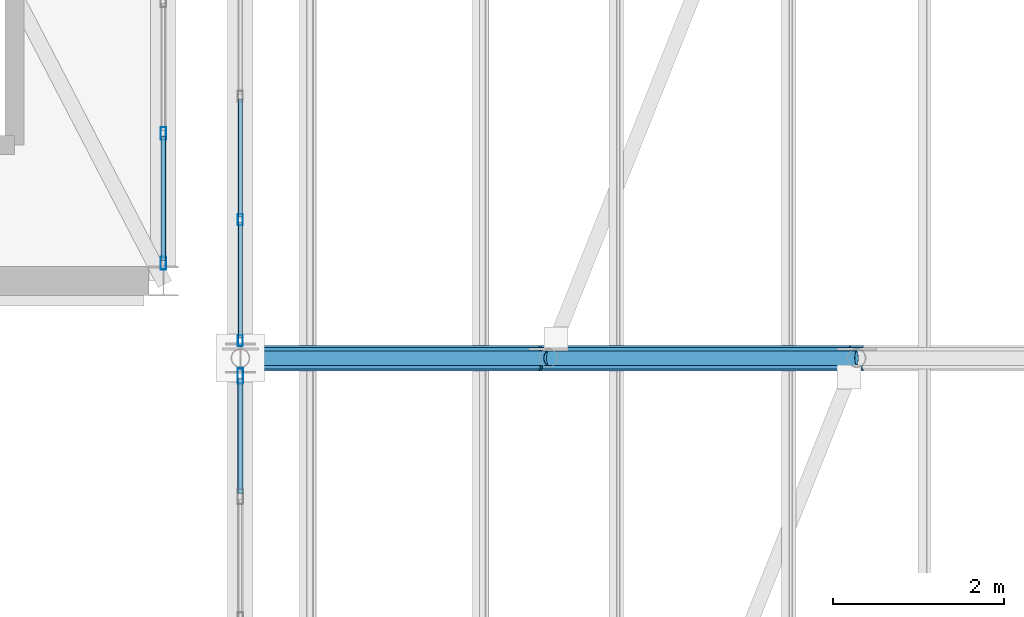
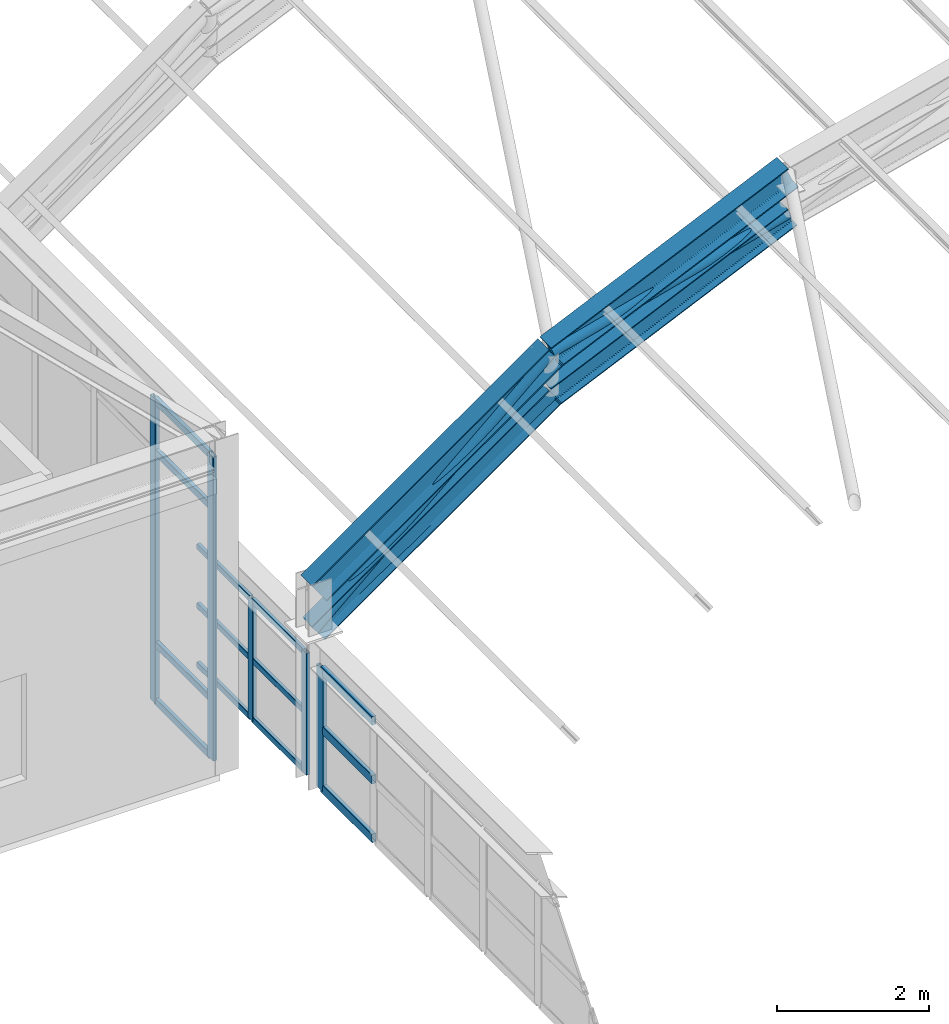
# One storey, part 49 of 121: 22 members, 2 beams, 3 elements without a shape of their own.
"""IFC4 building model written with IfcOpenShell, lengths in metres."""

from ifc_helpers import new_model, si_unit, direction, frame, origin, origin_2d, place, context, subcontext, project, spatial, hollow_rectangle, hollow_circle, i_section, extrude, material, material_profile, profile_set, type_object, element, aggregate, save


model = new_model("IFC4")

# Units and contexts
model_context = context("Model", 3, precision=1e-05, world=origin(), true_north=direction((0.0, 1.0)))
body_context = subcontext(model_context, "Body", "Model", "MODEL_VIEW")
ifc_project = project(units=[si_unit("LENGTHUNIT", "METRE"), si_unit("AREAUNIT", "SQUARE_METRE"), si_unit("VOLUMEUNIT", "CUBIC_METRE"), si_unit("PLANEANGLEUNIT", "RADIAN"), si_unit("MASSUNIT", "GRAM", prefix="KILO")], contexts=[model_context])

# Site, building, storey
site_placement = place(None, origin())
site = spatial("IfcSite", under=ifc_project, at=site_placement, CompositionType="ELEMENT")
building_placement = place(site_placement, origin())
building = spatial("IfcBuilding", under=site, at=building_placement, Name="Canglan Escarpment Cableway Terminal", CompositionType="ELEMENT")
storey_placement = place(building_placement, frame((0.0, 0.0, 24.60009765625)))
storey = spatial("IfcBuildingStorey", under=building, at=storey_placement, Name="L05", CompositionType="ELEMENT", Elevation=24.60009765625)

# Beams
ifc_material_1 = material(Name="Steel Q355B", Category="steel")
ifc_material_profile_1 = material_profile(ifc_material_1, i_section(OverallWidth=0.300048828125, OverallDepth=0.389892578125, WebThickness=0.010009765625, FlangeThickness=0.01611328125, FilletRadius=0.02197265625, at=origin_2d()), Name="HM 390x300x10x16")
ifc_profile_set_1 = profile_set([ifc_material_profile_1], Name="Steel Q355B")
beam_type = type_object("IfcBeamType", Name="BM-ARCH-TOP-HM390", PredefinedType="BEAM", material=ifc_profile_set_1)
beam_1_placement = place(storey_placement, frame((137.60009765625, 88.0, 3.08251953125), z_axis=(0.817731009495, 0.0, 0.575600552563), x_axis=(0.0, 1.0, 0.0)))
element("IfcBeam", 1, at=beam_1_placement, inside=storey, type_object=beam_type, Name="Vault ROOF TRUSS arch top chord AR-TC1", PredefinedType="BEAM", context=body_context, shape_type="SweptSolid", body=[
    extrude(i_section(OverallWidth=0.300048828125, OverallDepth=0.389892578125, WebThickness=0.010009765625, FlangeThickness=0.01611328125, FilletRadius=0.02197265625, at=origin_2d()), origin(), (0.0, 0.0, 1.0), 4.40234375),
])
beam_2_placement = place(storey_placement, frame((141.199951171875, 88.0, 5.616455078125), z_axis=(0.911752518833, 0.0, 0.410739996108), x_axis=(0.0, 1.0, 0.0)))
element("IfcBeam", 2, at=beam_2_placement, inside=storey, type_object=beam_type, Name="Vault ROOF TRUSS arch top chord AR-TC1", PredefinedType="BEAM", context=body_context, shape_type="SweptSolid", body=[
    extrude(i_section(OverallWidth=0.300048828125, OverallDepth=0.389892578125, WebThickness=0.010009765625, FlangeThickness=0.01611328125, FilletRadius=0.02197265625, at=origin_2d()), origin(), (0.0, 0.0, 1.0), 3.948486328125),
])

# Curtain wall, members
ifc_material_2 = material(Name="Anodized bronze aluminium and Low-E double glazing", Category="aluminium")
curtain_wall_type_1 = type_object("IfcCurtainWallType", Name="CW-BAY-8650x1950", PredefinedType="NOTDEFINED", material=ifc_material_2)
curtain_wall_1_placement = place(storey_placement, origin())
curtain_wall_1 = element("IfcCurtainWall", 3, at=curtain_wall_1_placement, inside=storey, type_object=curtain_wall_type_1, Name="Classical bay-between-piers glazed curtain wall CW-66", PredefinedType="NOTDEFINED")
ifc_material_3 = material(Name="Thermally broken anodized aluminium 6063-T6", Category="aluminium")
ifc_material_profile_2 = material_profile(ifc_material_3, hollow_rectangle(XDim=0.06005859375, YDim=0.1298828125, WallThickness=0.0029296875, InnerFilletRadius=0.0029296875, OuterFilletRadius=0.006103515625, at=origin_2d()), Name="ALU-MULL 60x130x3")
ifc_profile_set_2 = profile_set([ifc_material_profile_2], Name="Thermally broken anodized aluminium 6063-T6")
member_type_1 = type_object("IfcMemberType", Name="CWM-01", PredefinedType="MULLION", material=ifc_profile_set_2)
member_1_placement = place(storey_placement, frame((137.60009765625, 89.61669921875, 0.0), z_axis=(0.0, 0.0, 1.0), x_axis=(1.0, 0.0, 0.0)))
member_1 = element("IfcMember", 4, at=member_1_placement, type_object=member_type_1, Name="CW-66 mullion 6", PredefinedType="MULLION", context=body_context, shape_type="SweptSolid", body=[
    extrude(hollow_rectangle(XDim=0.06005859375, YDim=0.1298828125, WallThickness=0.0029296875, InnerFilletRadius=0.0029296875, OuterFilletRadius=0.006103515625, at=origin_2d()), origin(), (0.0, 0.0, 1.0), 1.949951171875),
])
member_2_placement = place(storey_placement, frame((137.60009765625, 88.205078125, 0.0), z_axis=(0.0, 0.0, 1.0), x_axis=(1.0, 0.0, 0.0)))
member_2 = element("IfcMember", 5, at=member_2_placement, type_object=member_type_1, Name="CW-66 mullion 7", PredefinedType="MULLION", context=body_context, shape_type="SweptSolid", body=[
    extrude(hollow_rectangle(XDim=0.06005859375, YDim=0.1298828125, WallThickness=0.0029296875, InnerFilletRadius=0.0029296875, OuterFilletRadius=0.006103515625, at=origin_2d()), origin(), (0.0, 0.0, 1.0), 1.949951171875),
])

curtain_wall_type_2 = type_object("IfcCurtainWallType", Name="CW-BAY-7750x4875", PredefinedType="NOTDEFINED", material=ifc_material_2)
curtain_wall_2_placement = place(storey_placement, origin())
curtain_wall_2 = element("IfcCurtainWall", 6, at=curtain_wall_2_placement, inside=storey, type_object=curtain_wall_type_2, Name="Classical bay-between-piers glazed curtain wall CW-57", PredefinedType="NOTDEFINED")
ifc_material_profile_3 = material_profile(ifc_material_3, hollow_rectangle(XDim=0.06494140625, YDim=0.14990234375, WallThickness=0.00341796875, InnerFilletRadius=0.00341796875, OuterFilletRadius=0.007080078125, at=origin_2d()), Name="ALU-MULL 65x150x3.5")
ifc_profile_set_3 = profile_set([ifc_material_profile_3], Name="Thermally broken anodized aluminium 6063-T6")
member_type_2 = type_object("IfcMemberType", Name="CWM-02", PredefinedType="MULLION", material=ifc_profile_set_3)
member_3_placement = place(storey_placement, frame((136.699951171875, 89.107421875, 0.0), z_axis=(0.0, 0.0, 1.0), x_axis=(-1.0, 0.0, 0.0)))
member_3 = element("IfcMember", 7, at=member_3_placement, type_object=member_type_2, Name="CW-57 mullion 1", PredefinedType="MULLION", context=body_context, shape_type="SweptSolid", body=[
    extrude(hollow_rectangle(XDim=0.06494140625, YDim=0.14990234375, WallThickness=0.00341796875, InnerFilletRadius=0.00341796875, OuterFilletRadius=0.007080078125, at=origin_2d()), origin(), (0.0, 0.0, 1.0), 4.880859375),
])
member_4_placement = place(storey_placement, frame((136.699951171875, 90.625, 0.0), z_axis=(0.0, 0.0, 1.0), x_axis=(-1.0, 0.0, 0.0)))
member_4 = element("IfcMember", 8, at=member_4_placement, type_object=member_type_2, Name="CW-57 mullion 2", PredefinedType="MULLION", context=body_context, shape_type="SweptSolid", body=[
    extrude(hollow_rectangle(XDim=0.06494140625, YDim=0.14990234375, WallThickness=0.00341796875, InnerFilletRadius=0.00341796875, OuterFilletRadius=0.007080078125, at=origin_2d()), origin(), (0.0, 0.0, 1.0), 4.880859375),
])

# Curtain wall, member
curtain_wall_3_placement = place(storey_placement, origin())
curtain_wall_3 = element("IfcCurtainWall", 9, at=curtain_wall_3_placement, inside=storey, type_object=curtain_wall_type_1, Name="Classical bay-between-piers glazed curtain wall CW-66", PredefinedType="NOTDEFINED")
ifc_material_profile_4 = material_profile(ifc_material_3, hollow_rectangle(XDim=0.06494140625, YDim=0.179931640625, WallThickness=0.00390625, InnerFilletRadius=0.00390625, OuterFilletRadius=0.008056640625, at=origin_2d()), Name="ALU-MULL 65x180x4")
ifc_profile_set_4 = profile_set([ifc_material_profile_4], Name="Thermally broken anodized aluminium 6063-T6")
member_type_3 = type_object("IfcMemberType", Name="CWM-03", PredefinedType="MULLION", material=ifc_profile_set_4)
member_5_placement = place(storey_placement, frame((137.60009765625, 87.79248046875, 0.0), z_axis=(0.0, 0.0, 1.0), x_axis=(1.0, 0.0, 0.0)))
member_5 = element("IfcMember", 10, at=member_5_placement, type_object=member_type_3, Name="CW-66 mullion 1", PredefinedType="MULLION", context=body_context, shape_type="SweptSolid", body=[
    extrude(hollow_rectangle(XDim=0.06494140625, YDim=0.179931640625, WallThickness=0.00390625, InnerFilletRadius=0.00390625, OuterFilletRadius=0.008056640625, at=origin_2d()), origin(), (0.0, 0.0, 1.0), 1.949951171875),
])

# Member
ifc_material_profile_5 = material_profile(ifc_material_3, hollow_rectangle(XDim=0.054931640625, YDim=0.094970703125, WallThickness=0.0029296875, InnerFilletRadius=0.0029296875, OuterFilletRadius=0.006103515625, at=origin_2d()), Name="ALU-TRAN 55x95x3")
ifc_profile_set_5 = profile_set([ifc_material_profile_5], Name="Thermally broken anodized aluminium 6063-T6")
member_type_4 = type_object("IfcMemberType", Name="CWT-01", PredefinedType="USERDEFINED", material=ifc_profile_set_5)
member_6_placement = place(storey_placement, frame((137.60009765625, 91.0283203125, 0.02734375), z_axis=(0.0, -1.0, 0.0), x_axis=(1.0, 0.0, 0.0)))
member_6 = element("IfcMember", 11, at=member_6_placement, type_object=member_type_4, Name="CW-66 transom 5.1", ObjectType="TRANSOM", PredefinedType="USERDEFINED", context=body_context, shape_type="SweptSolid", body=[
    extrude(hollow_rectangle(XDim=0.054931640625, YDim=0.094970703125, WallThickness=0.0029296875, InnerFilletRadius=0.0029296875, OuterFilletRadius=0.006103515625, at=origin_2d()), origin(), (0.0, 0.0, 1.0), 1.381591796875),
])

member_7_placement = place(storey_placement, frame((137.60009765625, 91.0283203125, 0.974853515625), z_axis=(0.0, -1.0, 0.0), x_axis=(1.0, 0.0, 0.0)))
member_7 = element("IfcMember", 12, at=member_7_placement, type_object=member_type_4, Name="CW-66 transom 5.2", ObjectType="TRANSOM", PredefinedType="USERDEFINED", context=body_context, shape_type="SweptSolid", body=[
    extrude(hollow_rectangle(XDim=0.054931640625, YDim=0.094970703125, WallThickness=0.0029296875, InnerFilletRadius=0.0029296875, OuterFilletRadius=0.006103515625, at=origin_2d()), origin(), (0.0, 0.0, 1.0), 1.381591796875),
])

member_8_placement = place(storey_placement, frame((137.60009765625, 91.0283203125, 1.92236328125), z_axis=(0.0, -1.0, 0.0), x_axis=(1.0, 0.0, 0.0)))
member_8 = element("IfcMember", 13, at=member_8_placement, type_object=member_type_4, Name="CW-66 transom 5.3", ObjectType="TRANSOM", PredefinedType="USERDEFINED", context=body_context, shape_type="SweptSolid", body=[
    extrude(hollow_rectangle(XDim=0.054931640625, YDim=0.094970703125, WallThickness=0.0029296875, InnerFilletRadius=0.0029296875, OuterFilletRadius=0.006103515625, at=origin_2d()), origin(), (0.0, 0.0, 1.0), 1.381591796875),
])

member_9_placement = place(storey_placement, frame((137.60009765625, 89.586669921875, 0.02734375), z_axis=(0.0, -1.0, 0.0), x_axis=(1.0, 0.0, 0.0)))
member_9 = element("IfcMember", 14, at=member_9_placement, type_object=member_type_4, Name="CW-66 transom 6.1", ObjectType="TRANSOM", PredefinedType="USERDEFINED", context=body_context, shape_type="SweptSolid", body=[
    extrude(hollow_rectangle(XDim=0.054931640625, YDim=0.094970703125, WallThickness=0.0029296875, InnerFilletRadius=0.0029296875, OuterFilletRadius=0.006103515625, at=origin_2d()), origin(), (0.0, 0.0, 1.0), 1.3515625),
])

member_10_placement = place(storey_placement, frame((137.60009765625, 89.586669921875, 0.974853515625), z_axis=(0.0, -1.0, 0.0), x_axis=(1.0, 0.0, 0.0)))
member_10 = element("IfcMember", 15, at=member_10_placement, type_object=member_type_4, Name="CW-66 transom 6.2", ObjectType="TRANSOM", PredefinedType="USERDEFINED", context=body_context, shape_type="SweptSolid", body=[
    extrude(hollow_rectangle(XDim=0.054931640625, YDim=0.094970703125, WallThickness=0.0029296875, InnerFilletRadius=0.0029296875, OuterFilletRadius=0.006103515625, at=origin_2d()), origin(), (0.0, 0.0, 1.0), 1.3515625),
])

member_11_placement = place(storey_placement, frame((137.60009765625, 89.586669921875, 1.92236328125), z_axis=(0.0, -1.0, 0.0), x_axis=(1.0, 0.0, 0.0)))
member_11 = element("IfcMember", 16, at=member_11_placement, type_object=member_type_4, Name="CW-66 transom 6.3", ObjectType="TRANSOM", PredefinedType="USERDEFINED", context=body_context, shape_type="SweptSolid", body=[
    extrude(hollow_rectangle(XDim=0.054931640625, YDim=0.094970703125, WallThickness=0.0029296875, InnerFilletRadius=0.0029296875, OuterFilletRadius=0.006103515625, at=origin_2d()), origin(), (0.0, 0.0, 1.0), 1.3515625),
])

aggregate(curtain_wall_1, [member_1, member_2, member_6, member_7, member_8, member_9, member_10, member_11])

ifc_material_profile_6 = material_profile(ifc_material_3, hollow_rectangle(XDim=0.06005859375, YDim=0.110107421875, WallThickness=0.0029296875, InnerFilletRadius=0.0029296875, OuterFilletRadius=0.006103515625, at=origin_2d()), Name="ALU-TRAN 60x110x3")
ifc_profile_set_6 = profile_set([ifc_material_profile_6], Name="Thermally broken anodized aluminium 6063-T6")
member_type_5 = type_object("IfcMemberType", Name="CWT-02", PredefinedType="USERDEFINED", material=ifc_profile_set_6)
member_12_placement = place(storey_placement, frame((136.699951171875, 89.139892578125, 0.02978515625), z_axis=(0.0, 1.0, 0.0), x_axis=(-1.0, 0.0, 0.0)))
member_12 = element("IfcMember", 17, at=member_12_placement, type_object=member_type_5, Name="CW-57 transom 1.1", ObjectType="TRANSOM", PredefinedType="USERDEFINED", context=body_context, shape_type="SweptSolid", body=[
    extrude(hollow_rectangle(XDim=0.06005859375, YDim=0.110107421875, WallThickness=0.0029296875, InnerFilletRadius=0.0029296875, OuterFilletRadius=0.006103515625, at=origin_2d()), origin(), (0.0, 0.0, 1.0), 1.45263671875),
])

member_13_placement = place(storey_placement, frame((136.699951171875, 89.139892578125, 0.949951171875), z_axis=(0.0, 1.0, 0.0), x_axis=(-1.0, 0.0, 0.0)))
member_13 = element("IfcMember", 18, at=member_13_placement, type_object=member_type_5, Name="CW-57 transom 1.2", ObjectType="TRANSOM", PredefinedType="USERDEFINED", context=body_context, shape_type="SweptSolid", body=[
    extrude(hollow_rectangle(XDim=0.06005859375, YDim=0.110107421875, WallThickness=0.0029296875, InnerFilletRadius=0.0029296875, OuterFilletRadius=0.006103515625, at=origin_2d()), origin(), (0.0, 0.0, 1.0), 1.45263671875),
])

member_14_placement = place(storey_placement, frame((136.699951171875, 89.139892578125, 4.031005859375), z_axis=(0.0, 1.0, 0.0), x_axis=(-1.0, 0.0, 0.0)))
member_14 = element("IfcMember", 19, at=member_14_placement, type_object=member_type_5, Name="CW-57 transom 1.3", ObjectType="TRANSOM", PredefinedType="USERDEFINED", context=body_context, shape_type="SweptSolid", body=[
    extrude(hollow_rectangle(XDim=0.06005859375, YDim=0.110107421875, WallThickness=0.0029296875, InnerFilletRadius=0.0029296875, OuterFilletRadius=0.006103515625, at=origin_2d()), origin(), (0.0, 0.0, 1.0), 1.45263671875),
])

member_15_placement = place(storey_placement, frame((136.699951171875, 89.139892578125, 4.850830078125), z_axis=(0.0, 1.0, 0.0), x_axis=(-1.0, 0.0, 0.0)))
member_15 = element("IfcMember", 20, at=member_15_placement, type_object=member_type_5, Name="CW-57 transom 1.4", ObjectType="TRANSOM", PredefinedType="USERDEFINED", context=body_context, shape_type="SweptSolid", body=[
    extrude(hollow_rectangle(XDim=0.06005859375, YDim=0.110107421875, WallThickness=0.0029296875, InnerFilletRadius=0.0029296875, OuterFilletRadius=0.006103515625, at=origin_2d()), origin(), (0.0, 0.0, 1.0), 1.45263671875),
])

aggregate(curtain_wall_2, [member_3, member_4, member_12, member_13, member_14, member_15])

ifc_material_profile_7 = material_profile(ifc_material_3, hollow_rectangle(XDim=0.06494140625, YDim=0.139892578125, WallThickness=0.00341796875, InnerFilletRadius=0.00341796875, OuterFilletRadius=0.007080078125, at=origin_2d()), Name="ALU-TRAN 65x140x3.5")
ifc_profile_set_7 = profile_set([ifc_material_profile_7], Name="Thermally broken anodized aluminium 6063-T6")
member_type_6 = type_object("IfcMemberType", Name="CWT-03", PredefinedType="USERDEFINED", material=ifc_profile_set_7)
member_16_placement = place(storey_placement, frame((137.60009765625, 87.760009765625, 0.032470703125), z_axis=(0.0, -1.0, 0.0), x_axis=(1.0, 0.0, 0.0)))
member_16 = element("IfcMember", 21, at=member_16_placement, type_object=member_type_6, Name="CW-66 transom 1.1", ObjectType="TRANSOM", PredefinedType="USERDEFINED", context=body_context, shape_type="SweptSolid", body=[
    extrude(hollow_rectangle(XDim=0.06494140625, YDim=0.139892578125, WallThickness=0.00341796875, InnerFilletRadius=0.00341796875, OuterFilletRadius=0.007080078125, at=origin_2d()), origin(), (0.0, 0.0, 1.0), 1.34423828125),
])

member_17_placement = place(storey_placement, frame((137.60009765625, 87.760009765625, 0.974853515625), z_axis=(0.0, -1.0, 0.0), x_axis=(1.0, 0.0, 0.0)))
member_17 = element("IfcMember", 22, at=member_17_placement, type_object=member_type_6, Name="CW-66 transom 1.2", ObjectType="TRANSOM", PredefinedType="USERDEFINED", context=body_context, shape_type="SweptSolid", body=[
    extrude(hollow_rectangle(XDim=0.06494140625, YDim=0.139892578125, WallThickness=0.00341796875, InnerFilletRadius=0.00341796875, OuterFilletRadius=0.007080078125, at=origin_2d()), origin(), (0.0, 0.0, 1.0), 1.34423828125),
])

member_18_placement = place(storey_placement, frame((137.60009765625, 87.760009765625, 1.91748046875), z_axis=(0.0, -1.0, 0.0), x_axis=(1.0, 0.0, 0.0)))
member_18 = element("IfcMember", 23, at=member_18_placement, type_object=member_type_6, Name="CW-66 transom 1.3", ObjectType="TRANSOM", PredefinedType="USERDEFINED", context=body_context, shape_type="SweptSolid", body=[
    extrude(hollow_rectangle(XDim=0.06494140625, YDim=0.139892578125, WallThickness=0.00341796875, InnerFilletRadius=0.00341796875, OuterFilletRadius=0.007080078125, at=origin_2d()), origin(), (0.0, 0.0, 1.0), 1.34423828125),
])

aggregate(curtain_wall_3, [member_5, member_16, member_17, member_18])

# Members
ifc_material_profile_8 = material_profile(ifc_material_1, i_section(OverallWidth=0.25, OverallDepth=0.340087890625, WebThickness=0.009033203125, FlangeThickness=0.013916015625, FilletRadius=0.02001953125, at=origin_2d()), Name="HM 340x250x9x14")
ifc_profile_set_8 = profile_set([ifc_material_profile_8], Name="Steel Q355B")
member_type_7 = type_object("IfcMemberType", Name="MB-ARCH-BOT-HM340", PredefinedType="CHORD", material=ifc_profile_set_8)
member_19_placement = place(storey_placement, frame((137.60009765625, 88.0, 2.432373046875), z_axis=(0.81770490607, 0.0, 0.575637634792), x_axis=(0.0, 1.0, 0.0)))
element("IfcMember", 24, at=member_19_placement, inside=storey, type_object=member_type_7, Name="Vault ROOF TRUSS arch bottom chord AR-BC1", PredefinedType="CHORD", context=body_context, shape_type="SweptSolid", body=[
    extrude(i_section(OverallWidth=0.25, OverallDepth=0.340087890625, WebThickness=0.009033203125, FlangeThickness=0.013916015625, FilletRadius=0.02001953125, at=origin_2d()), origin(), (0.0, 0.0, 1.0), 4.40234375),
])
member_20_placement = place(storey_placement, frame((141.199951171875, 88.0, 4.966552734375), z_axis=(0.911752518833, 0.0, 0.410739996108), x_axis=(0.0, 1.0, 0.0)))
element("IfcMember", 25, at=member_20_placement, inside=storey, type_object=member_type_7, Name="Vault ROOF TRUSS arch bottom chord AR-BC1", PredefinedType="CHORD", context=body_context, shape_type="SweptSolid", body=[
    extrude(i_section(OverallWidth=0.25, OverallDepth=0.340087890625, WebThickness=0.009033203125, FlangeThickness=0.013916015625, FilletRadius=0.02001953125, at=origin_2d()), origin(), (0.0, 0.0, 1.0), 3.948486328125),
])
ifc_material_profile_9 = material_profile(ifc_material_1, hollow_circle(Radius=0.084228515625, WallThickness=0.006103515625, at=origin_2d()), Name="CHS 168.3x6")
ifc_profile_set_9 = profile_set([ifc_material_profile_9], Name="Steel Q355B")
member_type_8 = type_object("IfcMemberType", Name="MB-ARCH-DIAG-CHS168", PredefinedType="BRACE", material=ifc_profile_set_9)
member_21_placement = place(storey_placement, frame((137.60009765625, 88.0, 2.432373046875), z_axis=(0.749038254518, 0.0, 0.662526749096), x_axis=(0.0, 1.0, 0.0)))
element("IfcMember", 26, at=member_21_placement, inside=storey, type_object=member_type_8, Name="Vault ROOF TRUSS web diagonal AR-DG1", PredefinedType="BRACE", context=body_context, shape_type="SweptSolid", body=[
    extrude(hollow_circle(Radius=0.084228515625, WallThickness=0.006103515625, at=origin_2d()), origin(), (0.0, 0.0, 1.0), 4.805908203125),
])
member_22_placement = place(storey_placement, frame((141.199951171875, 88.0, 5.616455078125), z_axis=(0.96543600217, 0.0, 0.260640222748), x_axis=(0.0, 1.0, 0.0)))
element("IfcMember", 27, at=member_22_placement, inside=storey, type_object=member_type_8, Name="Vault ROOF TRUSS web diagonal AR-DG1", PredefinedType="BRACE", context=body_context, shape_type="SweptSolid", body=[
    extrude(hollow_circle(Radius=0.084228515625, WallThickness=0.006103515625, at=origin_2d()), origin(), (0.0, 0.0, 1.0), 3.72900390625),
])

save(model, "model.ifc")
